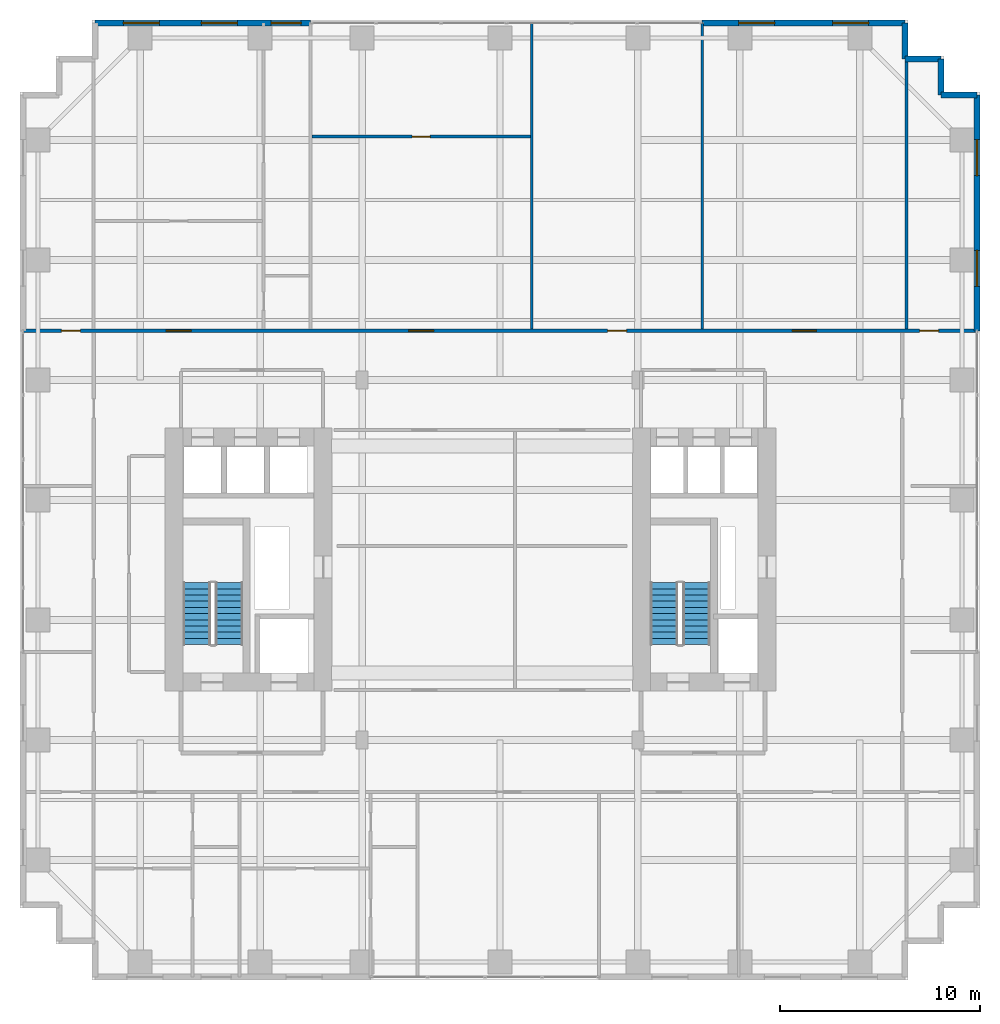
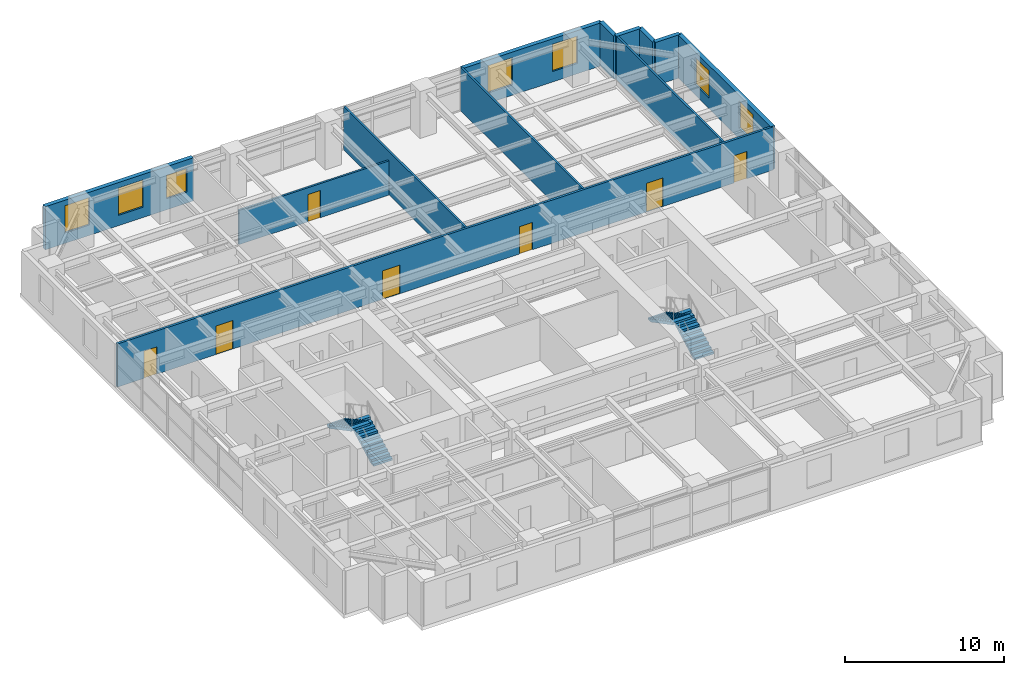
# One storey, part 23 of 24: 12 walls, 7 doors, 7 windows, 4 stair flights, 14 openings, 2 elements without a shape of their own.
"""IFC4 building model written with IfcOpenShell, lengths in metres."""

from ifc_helpers import new_model, si_unit, direction, frame, frame_2d, origin, place, context, subcontext, project, spatial, polyline, rectangle, outline, extrude, source, transform, mapped, material, layer, layer_set, type_object, element, fill, aggregate, save


model = new_model("IFC4")

# Units and contexts
model_context = context("Model", 3, precision=1e-05, world=origin(), true_north=direction((0.0, 1.0)))
body_context = subcontext(model_context, "Body", "Model", "MODEL_VIEW")
ifc_project = project(units=[si_unit("LENGTHUNIT", "METRE"), si_unit("AREAUNIT", "SQUARE_METRE"), si_unit("VOLUMEUNIT", "CUBIC_METRE"), si_unit("PLANEANGLEUNIT", "RADIAN"), si_unit("MASSUNIT", "GRAM", prefix="KILO")], contexts=[model_context])

# Site, building, storey
site_placement = place(None, origin())
site = spatial("IfcSite", under=ifc_project, at=site_placement, CompositionType="ELEMENT")
building_placement = place(site_placement, origin())
building = spatial("IfcBuilding", under=site, at=building_placement, Name="Khoralis Quay Care Tower", CompositionType="ELEMENT")
storey_placement = place(building_placement, frame((0.0, 0.0, 62.10009765625)))
storey = spatial("IfcBuildingStorey", under=building, at=storey_placement, Name="L16", CompositionType="ELEMENT", Elevation=62.10009765625)

# Wall, openings, doors
ifc_material_1 = material(Name="Gypsum plasterboard on acoustic metal stud")
ifc_layer_1 = layer(ifc_material_1, 0.1650390625)
ifc_layer_set_1 = layer_set([ifc_layer_1], Name="Gypsum plasterboard on acoustic metal stud")
wall_type_1 = type_object("IfcWallType", Name="WL-CORR-165", PredefinedType="PARTITIONING", material=ifc_layer_set_1)
wall_1_placement = place(storey_placement, frame((0.14501953125, 32.4599609375, 0.0), z_axis=(0.0, 0.0, 1.0), x_axis=(1.0, 0.0, 0.0)))
wall_1 = element("IfcWall", 1, at=wall_1_placement, inside=storey, type_object=wall_type_1, Name="L16 North Main Corridor Wall", PredefinedType="PARTITIONING", context=body_context, shape_type="SweptSolid", body=[
    extrude(rectangle(XDim=47.7099609375, YDim=0.1650390625, at=frame_2d((23.85498046875, 0.0))), origin(), (0.0, 0.0, 1.0), 3.31982421875),
])
opening_1_placement = place(wall_1_placement, frame((7.159912109375, 0.0, 0.0)))
opening_1 = element("IfcOpeningElement", 2, at=opening_1_placement, cuts=wall_1, Name="Opening CD1", PredefinedType="OPENING", context=body_context, shape_type="SweptSolid", body=[
    extrude(rectangle(XDim=1.25, YDim=2.199951171875, at=frame_2d((0.625, 1.10009765625))), frame((0.0, 0.092529296875, 0.0), z_axis=(0.0, -1.0, 0.0), x_axis=(1.0, 0.0, 0.0)), (0.0, 0.0, 1.0), 0.18505859375),
])
opening_2_placement = place(wall_1_placement, frame((19.2900390625, 0.0, 0.0)))
opening_2 = element("IfcOpeningElement", 3, at=opening_2_placement, cuts=wall_1, Name="Opening CD1", PredefinedType="OPENING", context=body_context, shape_type="SweptSolid", body=[
    extrude(rectangle(XDim=1.25, YDim=2.199951171875, at=frame_2d((0.625, 1.10009765625))), frame((0.0, 0.092529296875, 0.0), z_axis=(0.0, -1.0, 0.0), x_axis=(1.0, 0.0, 0.0)), (0.0, 0.0, 1.0), 0.18505859375),
])
opening_3_placement = place(wall_1_placement, frame((29.22998046875, 0.0, 0.0)))
opening_3 = element("IfcOpeningElement", 4, at=opening_3_placement, cuts=wall_1, Name="Opening ID1", PredefinedType="OPENING", context=body_context, shape_type="SweptSolid", body=[
    extrude(rectangle(XDim=0.949951171875, YDim=2.10009765625, at=frame_2d((0.47509765625, 1.050048828125))), frame((0.0, 0.092529296875, 0.0), z_axis=(0.0, -1.0, 0.0), x_axis=(1.0, 0.0, 0.0)), (0.0, 0.0, 1.0), 0.18505859375),
])
opening_4_placement = place(wall_1_placement, frame((38.469970703125, 0.0, 0.0)))
opening_4 = element("IfcOpeningElement", 5, at=opening_4_placement, cuts=wall_1, Name="Opening FD1", PredefinedType="OPENING", context=body_context, shape_type="SweptSolid", body=[
    extrude(rectangle(XDim=1.199951171875, YDim=2.199951171875, at=frame_2d((0.60009765625, 1.10009765625))), frame((0.0, 0.092529296875, 0.0), z_axis=(0.0, -1.0, 0.0), x_axis=(1.0, 0.0, 0.0)), (0.0, 0.0, 1.0), 0.18505859375),
])
opening_5_placement = place(wall_1_placement, frame((1.919921875, 0.0, 0.0)))
opening_5 = element("IfcOpeningElement", 6, at=opening_5_placement, cuts=wall_1, Name="Opening ID1", PredefinedType="OPENING", context=body_context, shape_type="SweptSolid", body=[
    extrude(rectangle(XDim=0.949951171875, YDim=2.10009765625, at=frame_2d((0.47509765625, 1.050048828125))), frame((0.0, 0.092529296875, 0.0), z_axis=(0.0, -1.0, 0.0), x_axis=(1.0, 0.0, 0.0)), (0.0, 0.0, 1.0), 0.18505859375),
])
opening_6_placement = place(wall_1_placement, frame((44.840087890625, 0.0, 0.0)))
opening_6 = element("IfcOpeningElement", 7, at=opening_6_placement, cuts=wall_1, Name="Opening ID1", PredefinedType="OPENING", context=body_context, shape_type="SweptSolid", body=[
    extrude(rectangle(XDim=0.949951171875, YDim=2.10009765625, at=frame_2d((0.47509765625, 1.050048828125))), frame((0.0, 0.092529296875, 0.0), z_axis=(0.0, -1.0, 0.0), x_axis=(1.0, 0.0, 0.0)), (0.0, 0.0, 1.0), 0.18505859375),
])
ifc_material_2 = material(Name="Fire-rated painted steel", Category="steel")
door_type_1 = type_object("IfcDoorType", Name="DR-FFL-1200X2200", OperationType="NOTDEFINED", PredefinedType="DOOR", material=ifc_material_2)
shared_shape_1 = source(origin(), body_context, "Body", "SweptSolid", [
    extrude(rectangle(XDim=1.199951171875, YDim=2.199951171875, at=frame_2d((0.60009765625, 1.10009765625))), frame((0.0, 0.02490234375, 0.0), z_axis=(0.0, -1.0, 0.0), x_axis=(1.0, 0.0, 0.0)), (0.0, 0.0, 1.0), 0.050048828125),
])
door_1_placement = place(opening_4_placement, origin())
door_1 = element("IfcDoor", 8, at=door_1_placement, inside=storey, type_object=door_type_1, Name="L16 Assisted Communal Dining Room Door", OperationType="DOUBLE_DOOR_SINGLE_SWING", OverallHeight=2.199951171875, OverallWidth=1.199951171875, PredefinedType="DOOR", context=body_context, shape_type="MappedRepresentation", body=[
    mapped(shared_shape_1, transform((0.0, 0.0, 0.0), scale=1.0)),
])
fill(opening_4, door_1)
ifc_material_3 = material(Name="Acoustic hardwood timber", Category="wood")
door_type_2 = type_object("IfcDoorType", Name="DR-CARE-1250X2200", OperationType="NOTDEFINED", PredefinedType="DOOR", material=ifc_material_3)
shared_shape_2 = source(origin(), body_context, "Body", "SweptSolid", [
    extrude(rectangle(XDim=1.25, YDim=2.199951171875, at=frame_2d((0.625, 1.10009765625))), frame((0.0, 0.02490234375, 0.0), z_axis=(0.0, -1.0, 0.0), x_axis=(1.0, 0.0, 0.0)), (0.0, 0.0, 1.0), 0.050048828125),
])
door_2_placement = place(opening_1_placement, origin())
door_2 = element("IfcDoor", 9, at=door_2_placement, inside=storey, type_object=door_type_2, Name="L16 Care Suite NB0 Clinical Door", OperationType="SINGLE_SWING_RIGHT", OverallHeight=2.199951171875, OverallWidth=1.25, PredefinedType="DOOR", context=body_context, shape_type="MappedRepresentation", body=[
    mapped(shared_shape_2, transform((0.0, 0.0, 0.0), scale=1.0)),
])
fill(opening_1, door_2)
door_3_placement = place(opening_2_placement, origin())
door_3 = element("IfcDoor", 10, at=door_3_placement, inside=storey, type_object=door_type_2, Name="L16 Geriatric Consultation Clinic Door", OperationType="SINGLE_SWING_LEFT", OverallHeight=2.199951171875, OverallWidth=1.25, PredefinedType="DOOR", context=body_context, shape_type="MappedRepresentation", body=[
    mapped(shared_shape_2, transform((0.0, 0.0, 0.0), scale=1.0)),
])
fill(opening_2, door_3)
door_type_3 = type_object("IfcDoorType", Name="DR-ROOM-950X2100", OperationType="NOTDEFINED", PredefinedType="DOOR", material=ifc_material_3)
shared_shape_3 = source(origin(), body_context, "Body", "SweptSolid", [
    extrude(rectangle(XDim=0.949951171875, YDim=2.10009765625, at=frame_2d((0.47509765625, 1.050048828125))), frame((0.0, 0.02490234375, 0.0), z_axis=(0.0, -1.0, 0.0), x_axis=(1.0, 0.0, 0.0)), (0.0, 0.0, 1.0), 0.050048828125),
])
door_4_placement = place(opening_3_placement, origin())
door_4 = element("IfcDoor", 11, at=door_4_placement, inside=storey, type_object=door_type_3, Name="L16 Family Case Conference Room Door", OperationType="SINGLE_SWING_LEFT", OverallHeight=2.10009765625, OverallWidth=0.949951171875, PredefinedType="DOOR", context=body_context, shape_type="MappedRepresentation", body=[
    mapped(shared_shape_3, transform((0.0, 0.0, 0.0), scale=1.0)),
])
fill(opening_3, door_4)
door_5_placement = place(opening_5_placement, origin())
door_5 = element("IfcDoor", 12, at=door_5_placement, inside=storey, type_object=door_type_3, Name="L16 NW Corner Door", OperationType="SINGLE_SWING_RIGHT", OverallHeight=2.10009765625, OverallWidth=0.949951171875, PredefinedType="DOOR", context=body_context, shape_type="MappedRepresentation", body=[
    mapped(shared_shape_3, transform((0.0, 0.0, 0.0), scale=1.0)),
])
fill(opening_5, door_5)
door_6_placement = place(opening_6_placement, origin())
door_6 = element("IfcDoor", 13, at=door_6_placement, inside=storey, type_object=door_type_3, Name="L16 NE Corner Door", OperationType="SINGLE_SWING_LEFT", OverallHeight=2.10009765625, OverallWidth=0.949951171875, PredefinedType="DOOR", context=body_context, shape_type="MappedRepresentation", body=[
    mapped(shared_shape_3, transform((0.0, 0.0, 0.0), scale=1.0)),
])
fill(opening_6, door_6)

# Wall, openings, windows
ifc_material_4 = material(Name="Precast concrete C45/55", Category="concrete")
ifc_layer_2 = layer(ifc_material_4, 0.300048828125)
ifc_layer_set_2 = layer_set([ifc_layer_2], Name="Precast concrete C45/55")
wall_type_2 = type_object("IfcWallType", Name="WL-EXT-REF-300", PredefinedType="SOLIDWALL", material=ifc_layer_set_2)
wall_2_placement = place(storey_placement, frame((47.85009765625, 32.4599609375, 0.0), z_axis=(0.0, 0.0, 1.0), x_axis=(0.0, 1.0, 0.0)))
wall_2 = element("IfcWall", 14, at=wall_2_placement, inside=storey, type_object=wall_type_2, Name="L16 External Facade Wall WL-EXT-L16-P1-E5B", PredefinedType="SOLIDWALL", context=body_context, shape_type="SweptSolid", body=[
    extrude(rectangle(XDim=11.7900390625, YDim=0.300048828125, at=frame_2d((5.89501953125, 0.0))), origin(), (0.0, 0.0, 1.0), 3.31982421875),
])
opening_7_placement = place(wall_2_placement, frame((2.2275390625, 0.0, 0.800048828125)))
opening_7 = element("IfcOpeningElement", 15, at=opening_7_placement, cuts=wall_2, Name="Opening W2", PredefinedType="OPENING", context=body_context, shape_type="SweptSolid", body=[
    extrude(rectangle(XDim=1.800048828125, YDim=2.10009765625, at=frame_2d((0.89990234375, 1.050048828125))), frame((0.0, 0.16015625, 0.0), z_axis=(0.0, -1.0, 0.0), x_axis=(1.0, 0.0, 0.0)), (0.0, 0.0, 1.0), 0.320068359375),
])
opening_8_placement = place(wall_2_placement, frame((7.762451171875, 0.0, 0.800048828125)))
opening_8 = element("IfcOpeningElement", 16, at=opening_8_placement, cuts=wall_2, Name="Opening W2", PredefinedType="OPENING", context=body_context, shape_type="SweptSolid", body=[
    extrude(rectangle(XDim=1.800048828125, YDim=2.10009765625, at=frame_2d((0.89990234375, 1.050048828125))), frame((0.0, 0.16015625, 0.0), z_axis=(0.0, -1.0, 0.0), x_axis=(1.0, 0.0, 0.0)), (0.0, 0.0, 1.0), 0.320068359375),
])
ifc_material_5 = material(Name="Low-E solar-control double glazing", Category="glass")
window_type_1 = type_object("IfcWindowType", Name="WN-POD-1800X2100", PartitioningType="SINGLE_PANEL", PredefinedType="WINDOW", material=ifc_material_5)
shared_shape_4 = source(origin(), body_context, "Body", "SweptSolid", [
    extrude(rectangle(XDim=1.800048828125, YDim=2.10009765625, at=frame_2d((0.89990234375, 1.050048828125))), frame((0.0, 0.030029296875, 0.0), z_axis=(0.0, -1.0, 0.0), x_axis=(1.0, 0.0, 0.0)), (0.0, 0.0, 1.0), 0.06005859375),
])
window_1_placement = place(opening_7_placement, origin())
window_1 = element("IfcWindow", 17, at=window_1_placement, inside=storey, type_object=window_type_1, Name="WN-L16-P1-E5B Facade Window 01", OverallHeight=2.10009765625, OverallWidth=1.800048828125, PartitioningType="SINGLE_PANEL", PredefinedType="WINDOW", context=body_context, shape_type="MappedRepresentation", body=[
    mapped(shared_shape_4, transform((0.0, 0.0, 0.0), scale=1.0)),
])
fill(opening_7, window_1)
window_2_placement = place(opening_8_placement, origin())
window_2 = element("IfcWindow", 18, at=window_2_placement, inside=storey, type_object=window_type_1, Name="WN-L16-P1-E5B Facade Window 02", OverallHeight=2.10009765625, OverallWidth=1.800048828125, PartitioningType="SINGLE_PANEL", PredefinedType="WINDOW", context=body_context, shape_type="MappedRepresentation", body=[
    mapped(shared_shape_4, transform((0.0, 0.0, 0.0), scale=1.0)),
])
fill(opening_8, window_2)

# Walls
for number, where, z_axis, x_axis, name in (
    (19, (47.85009765625, 44.25, 0.0), (0.0, 0.0, 1.0), (-1.0, 0.0, 0.0), "L16 External Facade Wall WL-EXT-L16-P1-C6"),
    (20, (46.050048828125, 44.25, 0.0), (0.0, 0.0, 1.0), (0.0, 1.0, 0.0), "L16 External Facade Wall WL-EXT-L16-P1-C7"),
    (21, (46.050048828125, 46.050048828125, 0.0), (0.0, 0.0, 1.0), (-1.0, 0.0, 0.0), "L16 External Facade Wall WL-EXT-L16-P1-C8"),
    (22, (44.25, 46.050048828125, 0.0), (0.0, 0.0, 1.0), (0.0, 1.0, 0.0), "L16 External Facade Wall WL-EXT-L16-P1-C9"),
):
    element("IfcWall", number, at=place(storey_placement, frame(where, z_axis=z_axis, x_axis=x_axis)), inside=storey, type_object=wall_type_2, Name=name, PredefinedType="SOLIDWALL", context=body_context, shape_type="SweptSolid", body=[
        extrude(rectangle(XDim=1.800048828125, YDim=0.300048828125, at=frame_2d((0.89990234375, 0.0))), origin(), (0.0, 0.0, 1.0), 3.31982421875),
    ])

# Wall, openings, windows
wall_3_placement = place(storey_placement, frame((44.25, 47.85009765625, 0.0), z_axis=(0.0, 0.0, 1.0), x_axis=(-1.0, 0.0, 0.0)))
wall_3 = element("IfcWall", 23, at=wall_3_placement, inside=storey, type_object=wall_type_2, Name="L16 External Facade Wall WL-EXT-L16-P1-E10A", PredefinedType="SOLIDWALL", context=body_context, shape_type="SweptSolid", body=[
    extrude(rectangle(XDim=10.139892578125, YDim=0.300048828125, at=frame_2d((5.06982421875, 0.0))), origin(), (0.0, 0.0, 1.0), 3.31982421875),
])
opening_9_placement = place(wall_3_placement, frame((1.81494140625, 0.0, 0.800048828125)))
opening_9 = element("IfcOpeningElement", 24, at=opening_9_placement, cuts=wall_3, Name="Opening W2", PredefinedType="OPENING", context=body_context, shape_type="SweptSolid", body=[
    extrude(rectangle(XDim=1.800048828125, YDim=2.10009765625, at=frame_2d((0.89990234375, 1.050048828125))), frame((0.0, 0.16015625, 0.0), z_axis=(0.0, -1.0, 0.0), x_axis=(1.0, 0.0, 0.0)), (0.0, 0.0, 1.0), 0.320068359375),
])
opening_10_placement = place(wall_3_placement, frame((6.52490234375, 0.0, 0.800048828125)))
opening_10 = element("IfcOpeningElement", 25, at=opening_10_placement, cuts=wall_3, Name="Opening W2", PredefinedType="OPENING", context=body_context, shape_type="SweptSolid", body=[
    extrude(rectangle(XDim=1.800048828125, YDim=2.10009765625, at=frame_2d((0.89990234375, 1.050048828125))), frame((0.0, 0.16015625, 0.0), z_axis=(0.0, -1.0, 0.0), x_axis=(1.0, 0.0, 0.0)), (0.0, 0.0, 1.0), 0.320068359375),
])
window_3_placement = place(opening_9_placement, origin())
window_3 = element("IfcWindow", 26, at=window_3_placement, inside=storey, type_object=window_type_1, Name="WN-L16-P1-E10A Facade Window 01", OverallHeight=2.10009765625, OverallWidth=1.800048828125, PartitioningType="SINGLE_PANEL", PredefinedType="WINDOW", context=body_context, shape_type="MappedRepresentation", body=[
    mapped(shared_shape_4, transform((0.0, 0.0, 0.0), scale=1.0)),
])
fill(opening_9, window_3)
window_4_placement = place(opening_10_placement, origin())
window_4 = element("IfcWindow", 27, at=window_4_placement, inside=storey, type_object=window_type_1, Name="WN-L16-P1-E10A Facade Window 02", OverallHeight=2.10009765625, OverallWidth=1.800048828125, PartitioningType="SINGLE_PANEL", PredefinedType="WINDOW", context=body_context, shape_type="MappedRepresentation", body=[
    mapped(shared_shape_4, transform((0.0, 0.0, 0.0), scale=1.0)),
])
fill(opening_10, window_4)

wall_4_placement = place(storey_placement, frame((14.530029296875, 47.85009765625, 0.0), z_axis=(0.0, 0.0, 1.0), x_axis=(-1.0, 0.0, 0.0)))
wall_4 = element("IfcWall", 28, at=wall_4_placement, inside=storey, type_object=wall_type_2, Name="L16 External Facade Wall WL-EXT-L16-P1-E10B", PredefinedType="SOLIDWALL", context=body_context, shape_type="SweptSolid", body=[
    extrude(rectangle(XDim=10.780029296875, YDim=0.300048828125, at=frame_2d((5.39013671875, 0.0))), origin(), (0.0, 0.0, 1.0), 3.31982421875),
])
opening_11_placement = place(wall_4_placement, frame((0.47509765625, 0.0, 0.85009765625)))
opening_11 = element("IfcOpeningElement", 29, at=opening_11_placement, cuts=wall_4, Name="Opening W3", PredefinedType="OPENING", context=body_context, shape_type="SweptSolid", body=[
    extrude(rectangle(XDim=1.5, YDim=1.800048828125, at=frame_2d((0.75, 0.89990234375))), frame((0.0, 0.16015625, 0.0), z_axis=(0.0, -1.0, 0.0), x_axis=(1.0, 0.0, 0.0)), (0.0, 0.0, 1.0), 0.320068359375),
])
opening_12_placement = place(wall_4_placement, frame((3.66259765625, 0.0, 0.800048828125)))
opening_12 = element("IfcOpeningElement", 30, at=opening_12_placement, cuts=wall_4, Name="Opening W2", PredefinedType="OPENING", context=body_context, shape_type="SweptSolid", body=[
    extrude(rectangle(XDim=1.800048828125, YDim=2.10009765625, at=frame_2d((0.89990234375, 1.050048828125))), frame((0.0, 0.16015625, 0.0), z_axis=(0.0, -1.0, 0.0), x_axis=(1.0, 0.0, 0.0)), (0.0, 0.0, 1.0), 0.320068359375),
])
opening_13_placement = place(wall_4_placement, frame((7.5673828125, 0.0, 0.800048828125)))
opening_13 = element("IfcOpeningElement", 31, at=opening_13_placement, cuts=wall_4, Name="Opening W2", PredefinedType="OPENING", context=body_context, shape_type="SweptSolid", body=[
    extrude(rectangle(XDim=1.800048828125, YDim=2.10009765625, at=frame_2d((0.89990234375, 1.050048828125))), frame((0.0, 0.16015625, 0.0), z_axis=(0.0, -1.0, 0.0), x_axis=(1.0, 0.0, 0.0)), (0.0, 0.0, 1.0), 0.320068359375),
])
window_type_2 = type_object("IfcWindowType", Name="WN-CLIN-1500X1800", PartitioningType="SINGLE_PANEL", PredefinedType="WINDOW", material=ifc_material_5)
shared_shape_5 = source(origin(), body_context, "Body", "SweptSolid", [
    extrude(rectangle(XDim=1.5, YDim=1.800048828125, at=frame_2d((0.75, 0.89990234375))), frame((0.0, 0.030029296875, 0.0), z_axis=(0.0, -1.0, 0.0), x_axis=(1.0, 0.0, 0.0)), (0.0, 0.0, 1.0), 0.06005859375),
])
window_5_placement = place(opening_11_placement, origin())
window_5 = element("IfcWindow", 32, at=window_5_placement, inside=storey, type_object=window_type_2, Name="WN-L16-P1-E10B Facade Window 01", OverallHeight=1.800048828125, OverallWidth=1.5, PartitioningType="SINGLE_PANEL", PredefinedType="WINDOW", context=body_context, shape_type="MappedRepresentation", body=[
    mapped(shared_shape_5, transform((0.0, 0.0, 0.0), scale=1.0)),
])
fill(opening_11, window_5)
window_6_placement = place(opening_12_placement, origin())
window_6 = element("IfcWindow", 33, at=window_6_placement, inside=storey, type_object=window_type_1, Name="WN-L16-P1-E10B Facade Window 02", OverallHeight=2.10009765625, OverallWidth=1.800048828125, PartitioningType="SINGLE_PANEL", PredefinedType="WINDOW", context=body_context, shape_type="MappedRepresentation", body=[
    mapped(shared_shape_4, transform((0.0, 0.0, 0.0), scale=1.0)),
])
fill(opening_12, window_6)
window_7_placement = place(opening_13_placement, origin())
window_7 = element("IfcWindow", 34, at=window_7_placement, inside=storey, type_object=window_type_1, Name="WN-L16-P1-E10B Facade Window 03", OverallHeight=2.10009765625, OverallWidth=1.800048828125, PartitioningType="SINGLE_PANEL", PredefinedType="WINDOW", context=body_context, shape_type="MappedRepresentation", body=[
    mapped(shared_shape_4, transform((0.0, 0.0, 0.0), scale=1.0)),
])
fill(opening_13, window_7)

# Walls
ifc_layer_3 = layer(ifc_material_1, 0.139892578125)
ifc_layer_set_3 = layer_set([ifc_layer_3], Name="Gypsum plasterboard on acoustic metal stud")
wall_type_3 = type_object("IfcWallType", Name="WL-UNIT-140", PredefinedType="PARTITIONING", material=ifc_layer_set_3)
for number, where, z_axis, x_axis, name in (
    (35, (25.590087890625, 32.53759765625, 0.0), (0.0, 0.0, 1.0), (0.0, 1.0, 0.0), "L16 NB Demising Wall 2"),
    (36, (34.110107421875, 32.53759765625, 0.0), (0.0, 0.0, 1.0), (0.0, 1.0, 0.0), "L16 NB Demising Wall 3"),
):
    element("IfcWall", number, at=place(storey_placement, frame(where, z_axis=z_axis, x_axis=x_axis)), inside=storey, type_object=wall_type_3, Name=name, PredefinedType="PARTITIONING", context=body_context, shape_type="SweptSolid", body=[
        extrude(rectangle(XDim=15.3173828125, YDim=0.139892578125, at=frame_2d((7.65869140625, 0.0))), origin(), (0.0, 0.0, 1.0), 3.31982421875),
    ])
wall_5_placement = place(storey_placement, frame((44.320068359375, 32.53759765625, 0.0), z_axis=(0.0, 0.0, 1.0), x_axis=(0.0, 1.0, 0.0)))
element("IfcWall", 37, at=wall_5_placement, inside=storey, type_object=wall_type_3, Name="L16 NB Demising Wall 4", PredefinedType="PARTITIONING", context=body_context, shape_type="SweptSolid", body=[
    extrude(rectangle(XDim=13.517333984375, YDim=0.139892578125, at=frame_2d((6.7587890625, 0.0))), origin(), (0.0, 0.0, 1.0), 3.31982421875),
])

# Wall, opening, door
wall_6_placement = place(storey_placement, frame((14.594970703125, 42.169921875, 0.0), z_axis=(0.0, 0.0, 1.0), x_axis=(1.0, 0.0, 0.0)))
wall_6 = element("IfcWall", 38, at=wall_6_placement, inside=storey, type_object=wall_type_3, Name="Geriatric Consultation Clinic L16-NB1 Sub-Partition", PredefinedType="PARTITIONING", context=body_context, shape_type="SweptSolid", body=[
    extrude(rectangle(XDim=10.929931640625, YDim=0.139892578125, at=frame_2d((5.46484375, 0.0))), origin(), (0.0, 0.0, 1.0), 2.625),
])
opening_14_placement = place(wall_6_placement, frame((5.014892578125, 0.0, 0.0)))
opening_14 = element("IfcOpeningElement", 39, at=opening_14_placement, cuts=wall_6, Name="Opening WD1", PredefinedType="OPENING", context=body_context, shape_type="SweptSolid", body=[
    extrude(rectangle(XDim=0.89990234375, YDim=2.10009765625, at=frame_2d((0.449951171875, 1.050048828125))), frame((0.0, 0.080078125, 0.0), z_axis=(0.0, -1.0, 0.0), x_axis=(1.0, 0.0, 0.0)), (0.0, 0.0, 1.0), 0.159912109375),
])
door_type_4 = type_object("IfcDoorType", Name="DR-BATH-900X2100", OperationType="NOTDEFINED", PredefinedType="DOOR", material=ifc_material_3)
shared_shape_6 = source(origin(), body_context, "Body", "SweptSolid", [
    extrude(rectangle(XDim=0.89990234375, YDim=2.10009765625, at=frame_2d((0.449951171875, 1.050048828125))), frame((0.0, 0.02490234375, 0.0), z_axis=(0.0, -1.0, 0.0), x_axis=(1.0, 0.0, 0.0)), (0.0, 0.0, 1.0), 0.050048828125),
])
door_7_placement = place(opening_14_placement, frame((0.89990234375, 0.0, 0.0), z_axis=(0.0, 0.0, 1.0), x_axis=(-1.0, 0.0, 0.0)))
door_7 = element("IfcDoor", 40, at=door_7_placement, inside=storey, type_object=door_type_4, Name="Diagnostic Assessment Clinic L16 Door", OperationType="SINGLE_SWING_LEFT", OverallHeight=2.10009765625, OverallWidth=0.89990234375, PredefinedType="DOOR", context=body_context, shape_type="MappedRepresentation", body=[
    mapped(shared_shape_6, transform((0.0, 0.0, 0.0), scale=1.0)),
])
fill(opening_14, door_7)

# Stair, stair flights
stair_type = type_object("IfcStairType", Name="ST-TWR-DOGLEG-1400", PredefinedType="HALF_TURN_STAIR", material=ifc_material_4)
stair_1_placement = place(storey_placement, origin())
stair_1 = element("IfcStair", 41, at=stair_1_placement, inside=storey, type_object=stair_type, Name="L16 West Core Exit Stair ST-T1", PredefinedType="HALF_TURN_STAIR")
stair_flight_type = type_object("IfcStairFlightType", Name="SF-TWR-1400", PredefinedType="STRAIGHT", material=ifc_material_4)
shared_shape_7 = source(origin(), body_context, "Body", "SweptSolid", [
    extrude(outline(polyline([(0.0, 0.0), (0.0, 0.16357421875), (0.31005859375, 0.16357421875), (0.31005859375, 0.327392578125), (0.6201171875, 0.327392578125), (0.6201171875, 0.490966796875), (0.929931640625, 0.490966796875), (0.929931640625, 0.654541015625), (1.239990234375, 0.654541015625), (1.239990234375, 0.818115234375), (1.550048828125, 0.818115234375), (1.550048828125, 0.98193359375), (1.860107421875, 0.98193359375), (1.860107421875, 1.1455078125), (2.169921875, 1.1455078125), (2.169921875, 1.30908203125), (2.47998046875, 1.30908203125), (2.47998046875, 1.47265625), (2.7900390625, 1.47265625), (2.7900390625, 1.636474609375), (3.10009765625, 1.636474609375), (3.10009765625, 1.800048828125), (3.10009765625, 1.466796875), (0.321044921875, 0.0), (0.0, 0.0)])), frame((0.0, 0.68994140625, 0.0), z_axis=(0.0, -1.0, 0.0), x_axis=(1.0, 0.0, 0.0)), (0.0, 0.0, 1.0), 1.3798828125),
])
stair_flight_1_placement = place(storey_placement, frame((10.4599609375, 16.77001953125, 0.0), z_axis=(0.0, 0.0, 1.0), x_axis=(0.0, 1.0, 0.0)))
stair_flight_1 = element("IfcStairFlight", 42, at=stair_flight_1_placement, type_object=stair_flight_type, Name="ST-T1 flight 1", NumberOfRisers=11, NumberOfTreads=10, PredefinedType="STRAIGHT", RiserHeight=0.163636364, TreadLength=0.31, context=body_context, shape_type="MappedRepresentation", body=[
    mapped(shared_shape_7, transform((0.0, 0.0, 0.0), scale=1.0)),
])
stair_flight_2_placement = place(storey_placement, frame((8.840087890625, 19.8701171875, 1.7998046875), z_axis=(0.0, 0.0, 1.0), x_axis=(0.0, -1.0, 0.0)))
stair_flight_2 = element("IfcStairFlight", 43, at=stair_flight_2_placement, type_object=stair_flight_type, Name="ST-T1 flight 2", NumberOfRisers=11, NumberOfTreads=10, PredefinedType="STRAIGHT", RiserHeight=0.163636364, TreadLength=0.31, context=body_context, shape_type="MappedRepresentation", body=[
    mapped(shared_shape_7, transform((0.0, 0.0, 0.0), scale=1.0)),
])
aggregate(stair_1, [stair_flight_1, stair_flight_2])

stair_2_placement = place(storey_placement, origin())
stair_2 = element("IfcStair", 44, at=stair_2_placement, inside=storey, type_object=stair_type, Name="L16 East Core Exit Stair ST-T2", PredefinedType="HALF_TURN_STAIR")
stair_flight_3_placement = place(storey_placement, frame((33.830078125, 16.77001953125, 0.0), z_axis=(0.0, 0.0, 1.0), x_axis=(0.0, 1.0, 0.0)))
stair_flight_3 = element("IfcStairFlight", 45, at=stair_flight_3_placement, type_object=stair_flight_type, Name="ST-T2 flight 1", NumberOfRisers=11, NumberOfTreads=10, PredefinedType="STRAIGHT", RiserHeight=0.163636364, TreadLength=0.31, context=body_context, shape_type="MappedRepresentation", body=[
    mapped(shared_shape_7, transform((0.0, 0.0, 0.0), scale=1.0)),
])
stair_flight_4_placement = place(storey_placement, frame((32.2099609375, 19.8701171875, 1.7998046875), z_axis=(0.0, 0.0, 1.0), x_axis=(0.0, -1.0, 0.0)))
stair_flight_4 = element("IfcStairFlight", 46, at=stair_flight_4_placement, type_object=stair_flight_type, Name="ST-T2 flight 2", NumberOfRisers=11, NumberOfTreads=10, PredefinedType="STRAIGHT", RiserHeight=0.163636364, TreadLength=0.31, context=body_context, shape_type="MappedRepresentation", body=[
    mapped(shared_shape_7, transform((0.0, 0.0, 0.0), scale=1.0)),
])
aggregate(stair_2, [stair_flight_3, stair_flight_4])

save(model, "model.ifc")
